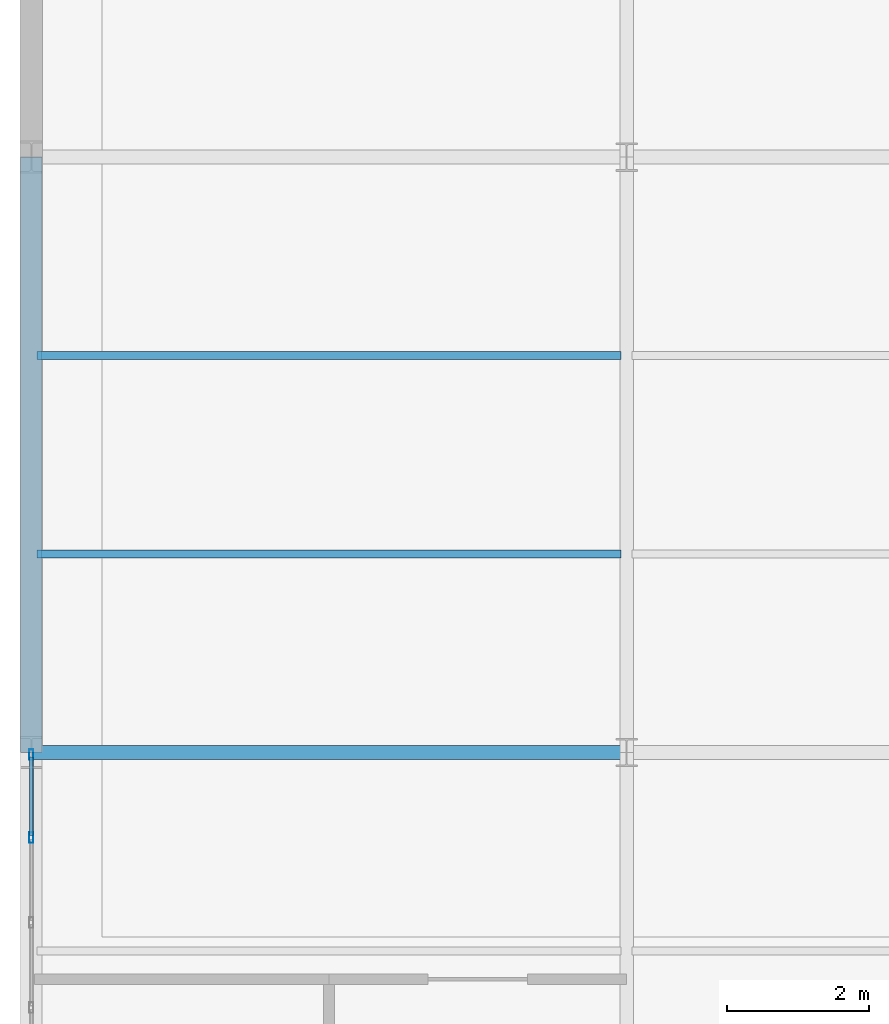
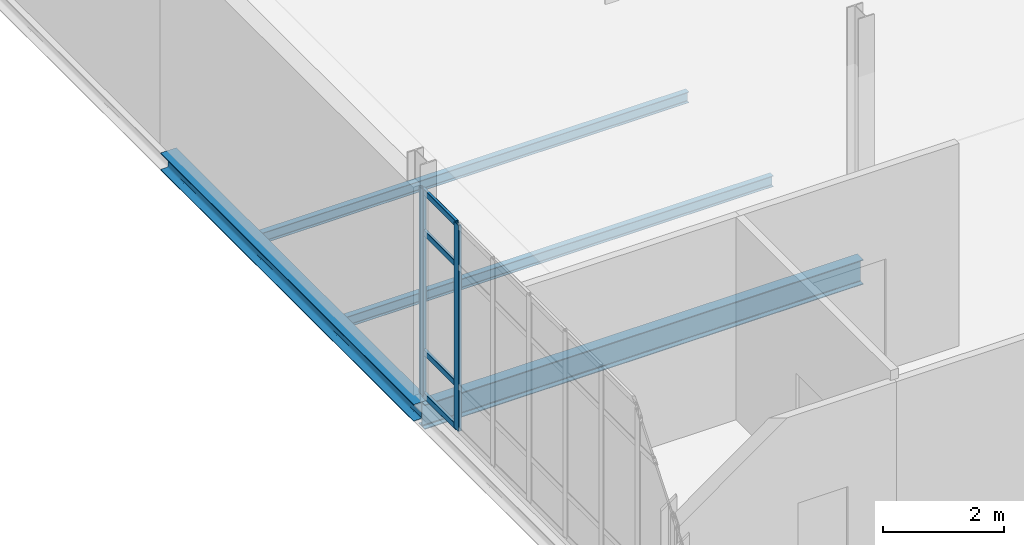
# One storey, part 9 of 28: 6 members, 4 beams, 1 element without a shape of its own.
"""IFC4 building model written with IfcOpenShell, lengths in metres."""

from ifc_helpers import new_model, si_unit, direction, frame, origin, origin_2d, place, context, subcontext, project, spatial, hollow_rectangle, i_section, extrude, material, layer, layer_set, material_profile, profile_set, type_object, element, aggregate, save


model = new_model("IFC4")

# Units and contexts
model_context = context("Model", 3, precision=1e-05, world=origin(), true_north=direction((0.0, 1.0)))
body_context = subcontext(model_context, "Body", "Model", "MODEL_VIEW")
ifc_project = project(units=[si_unit("LENGTHUNIT", "METRE"), si_unit("AREAUNIT", "SQUARE_METRE"), si_unit("VOLUMEUNIT", "CUBIC_METRE"), si_unit("PLANEANGLEUNIT", "RADIAN"), si_unit("MASSUNIT", "GRAM", prefix="KILO")], contexts=[model_context])

# Site, building, storey
site_placement = place(None, origin())
site = spatial("IfcSite", under=ifc_project, at=site_placement, CompositionType="ELEMENT")
building_placement = place(site_placement, origin())
building = spatial("IfcBuilding", under=site, at=building_placement, Name="Qalvenar Corner Mobility Hub", CompositionType="ELEMENT")
storey_placement = place(building_placement, frame((0.0, 0.0, 21.60009765625)))
storey = spatial("IfcBuildingStorey", under=building, at=storey_placement, Name="L05", CompositionType="ELEMENT", Elevation=21.60009765625)

# Beams
ifc_material_1 = material(Name="Steel S355", Category="steel")
ifc_material_profile_1 = material_profile(ifc_material_1, i_section(OverallWidth=0.199951171875, OverallDepth=0.5, WebThickness=0.01025390625, FlangeThickness=0.01611328125, FilletRadius=0.02099609375, at=origin_2d()), Name="IPE500")
ifc_profile_set_1 = profile_set([ifc_material_profile_1], Name="Steel S355")
beam_type_1 = type_object("IfcBeamType", Name="BM-IPE500", PredefinedType="BEAM", material=ifc_profile_set_1)
beam_1_placement = place(storey_placement, frame((0.0, 25.199951171875, -0.43017578125), z_axis=(1.0, 0.0, 0.0), x_axis=(0.0, 1.0, 0.0)))
element("IfcBeam", 1, at=beam_1_placement, inside=storey, type_object=beam_type_1, Name="Primary Steel Girder GX-2960", PredefinedType="BEAM", context=body_context, shape_type="SweptSolid", body=[
    extrude(i_section(OverallWidth=0.199951171875, OverallDepth=0.5, WebThickness=0.01025390625, FlangeThickness=0.01611328125, FilletRadius=0.02099609375, at=origin_2d()), origin(), (0.0, 0.0, 1.0), 8.39990234375),
])
ifc_material_profile_2 = material_profile(ifc_material_1, i_section(OverallWidth=0.110107421875, OverallDepth=0.219970703125, WebThickness=0.005859375, FlangeThickness=0.00927734375, FilletRadius=0.011962890625, at=origin_2d()), Name="IPE220")
ifc_profile_set_2 = profile_set([ifc_material_profile_2], Name="Steel S355")
beam_type_2 = type_object("IfcBeamType", Name="BM-JST220", PredefinedType="JOIST", material=ifc_profile_set_2)
for number, where, z_axis, x_axis, name in (
    (2, (0.077880859375, 28.0, -0.2900390625), (1.0, 0.0, 0.0), (0.0, 1.0, 0.0), "Composite Floor Joist J-3012"),
    (3, (0.077880859375, 30.800048828125, -0.2900390625), (1.0, 0.0, 0.0), (0.0, 1.0, 0.0), "Composite Floor Joist J-3013"),
):
    element("IfcBeam", number, at=place(storey_placement, frame(where, z_axis=z_axis, x_axis=x_axis)), inside=storey, type_object=beam_type_2, Name=name, PredefinedType="JOIST", context=body_context, shape_type="SweptSolid", body=[
        extrude(i_section(OverallWidth=0.110107421875, OverallDepth=0.219970703125, WebThickness=0.005859375, FlangeThickness=0.00927734375, FilletRadius=0.011962890625, at=origin_2d()), origin(), (0.0, 0.0, 1.0), 8.244140625),
    ])
ifc_material_profile_3 = material_profile(ifc_material_1, i_section(OverallWidth=0.300048828125, OverallDepth=0.35009765625, WebThickness=0.010009765625, FlangeThickness=0.017578125, FilletRadius=0.027099609375, at=origin_2d()), Name="HEA360")
ifc_profile_set_3 = profile_set([ifc_material_profile_3], Name="Steel S355")
beam_type_3 = type_object("IfcBeamType", Name="BM-SPN360", PredefinedType="SPANDREL", material=ifc_profile_set_3)
beam_2_placement = place(storey_placement, frame((0.0, 25.199951171875, -0.35498046875), z_axis=(0.0, 1.0, 0.0), x_axis=(-1.0, 0.0, 0.0)))
element("IfcBeam", 4, at=beam_2_placement, inside=storey, type_object=beam_type_3, Name="Primary Steel Girder GY-2978", PredefinedType="SPANDREL", context=body_context, shape_type="SweptSolid", body=[
    extrude(i_section(OverallWidth=0.300048828125, OverallDepth=0.35009765625, WebThickness=0.010009765625, FlangeThickness=0.017578125, FilletRadius=0.027099609375, at=origin_2d()), origin(), (0.0, 0.0, 1.0), 8.400146484375),
])

# Curtain wall, members
ifc_material_2 = material(Name="Anodised Aluminium and Low-E Glazing", Category="aluminium")
ifc_layer = layer(ifc_material_2, 0.14990234375)
ifc_layer_set = layer_set([ifc_layer], Name="Anodised Aluminium and Low-E Glazing")
curtain_wall_type = type_object("IfcCurtainWallType", Name="CW-CIV-84X40", PredefinedType="NOTDEFINED", material=ifc_layer_set)
curtain_wall_placement = place(storey_placement, origin())
curtain_wall = element("IfcCurtainWall", 5, at=curtain_wall_placement, inside=storey, type_object=curtain_wall_type, Name="Glazed Curtain Wall CW-V3-L05-W2", PredefinedType="NOTDEFINED")
ifc_material_3 = material(Name="Anodised Aluminium 6063-T6", Category="aluminium")
ifc_material_profile_4 = material_profile(ifc_material_3, hollow_rectangle(XDim=0.06005859375, YDim=0.14990234375, WallThickness=0.00390625, InnerFilletRadius=0.00390625, OuterFilletRadius=0.008056640625, at=origin_2d()), Name="RHS150x60x4")
ifc_profile_set_4 = profile_set([ifc_material_profile_4], Name="Anodised Aluminium 6063-T6")
member_type_1 = type_object("IfcMemberType", Name="CW-MUL150", PredefinedType="MULLION", material=ifc_profile_set_4)
member_1_placement = place(storey_placement, frame((0.0, 25.169921875, 0.0), z_axis=(0.0, 0.0, 1.0), x_axis=(1.0, 0.0, 0.0)))
member_1 = element("IfcMember", 6, at=member_1_placement, type_object=member_type_1, Name="CW-05 mullion 1", PredefinedType="MULLION", context=body_context, shape_type="SweptSolid", body=[
    extrude(hollow_rectangle(XDim=0.06005859375, YDim=0.14990234375, WallThickness=0.00390625, InnerFilletRadius=0.00390625, OuterFilletRadius=0.008056640625, at=origin_2d()), origin(), (0.0, 0.0, 1.0), 4.169921875),
])
member_2_placement = place(storey_placement, frame((0.0, 24.0, 0.0), z_axis=(0.0, 0.0, 1.0), x_axis=(1.0, 0.0, 0.0)))
member_2 = element("IfcMember", 7, at=member_2_placement, type_object=member_type_1, Name="CW-05 mullion 2", PredefinedType="MULLION", context=body_context, shape_type="SweptSolid", body=[
    extrude(hollow_rectangle(XDim=0.06005859375, YDim=0.14990234375, WallThickness=0.00390625, InnerFilletRadius=0.00390625, OuterFilletRadius=0.008056640625, at=origin_2d()), origin(), (0.0, 0.0, 1.0), 4.169921875),
])
ifc_material_profile_5 = material_profile(ifc_material_3, hollow_rectangle(XDim=0.054931640625, YDim=0.1201171875, WallThickness=0.00341796875, InnerFilletRadius=0.00341796875, OuterFilletRadius=0.007080078125, at=origin_2d()), Name="RHS120x55x3.5")
ifc_profile_set_5 = profile_set([ifc_material_profile_5], Name="Anodised Aluminium 6063-T6")
member_type_2 = type_object("IfcMemberType", Name="CW-TRN120", PredefinedType="USERDEFINED", material=ifc_profile_set_5)
member_3_placement = place(storey_placement, frame((0.0, 25.139892578125, 0.02734375), z_axis=(0.0, -1.0, 0.0), x_axis=(1.0, 0.0, 0.0)))
member_3 = element("IfcMember", 8, at=member_3_placement, type_object=member_type_2, Name="CW-05 transom 1.1", ObjectType="TRANSOM", PredefinedType="USERDEFINED", context=body_context, shape_type="SweptSolid", body=[
    extrude(hollow_rectangle(XDim=0.054931640625, YDim=0.1201171875, WallThickness=0.00341796875, InnerFilletRadius=0.00341796875, OuterFilletRadius=0.007080078125, at=origin_2d()), origin(), (0.0, 0.0, 1.0), 1.10986328125),
])
member_4_placement = place(storey_placement, frame((0.0, 25.139892578125, 0.89990234375), z_axis=(0.0, -1.0, 0.0), x_axis=(1.0, 0.0, 0.0)))
member_4 = element("IfcMember", 9, at=member_4_placement, type_object=member_type_2, Name="CW-05 transom 1.2", ObjectType="TRANSOM", PredefinedType="USERDEFINED", context=body_context, shape_type="SweptSolid", body=[
    extrude(hollow_rectangle(XDim=0.054931640625, YDim=0.1201171875, WallThickness=0.00341796875, InnerFilletRadius=0.00341796875, OuterFilletRadius=0.007080078125, at=origin_2d()), origin(), (0.0, 0.0, 1.0), 1.10986328125),
])
member_5_placement = place(storey_placement, frame((0.0, 25.139892578125, 3.31982421875), z_axis=(0.0, -1.0, 0.0), x_axis=(1.0, 0.0, 0.0)))
member_5 = element("IfcMember", 10, at=member_5_placement, type_object=member_type_2, Name="CW-05 transom 1.3", ObjectType="TRANSOM", PredefinedType="USERDEFINED", context=body_context, shape_type="SweptSolid", body=[
    extrude(hollow_rectangle(XDim=0.054931640625, YDim=0.1201171875, WallThickness=0.00341796875, InnerFilletRadius=0.00341796875, OuterFilletRadius=0.007080078125, at=origin_2d()), origin(), (0.0, 0.0, 1.0), 1.10986328125),
])
member_6_placement = place(storey_placement, frame((0.0, 25.139892578125, 4.142333984375), z_axis=(0.0, -1.0, 0.0), x_axis=(1.0, 0.0, 0.0)))
member_6 = element("IfcMember", 11, at=member_6_placement, type_object=member_type_2, Name="CW-05 transom 1.4", ObjectType="TRANSOM", PredefinedType="USERDEFINED", context=body_context, shape_type="SweptSolid", body=[
    extrude(hollow_rectangle(XDim=0.054931640625, YDim=0.1201171875, WallThickness=0.00341796875, InnerFilletRadius=0.00341796875, OuterFilletRadius=0.007080078125, at=origin_2d()), origin(), (0.0, 0.0, 1.0), 1.10986328125),
])
aggregate(curtain_wall, [member_1, member_2, member_3, member_4, member_5, member_6])

save(model, "model.ifc")
